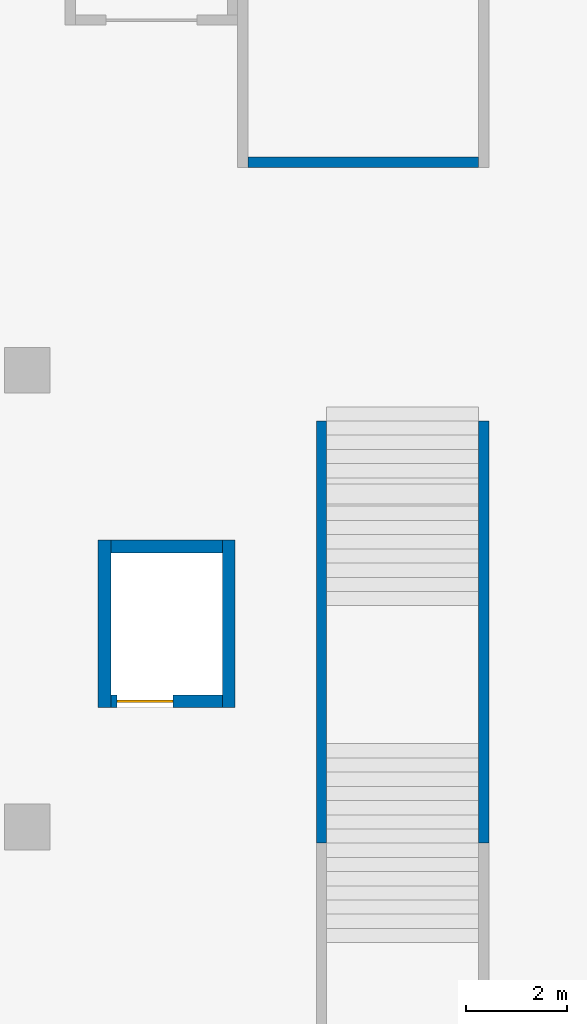
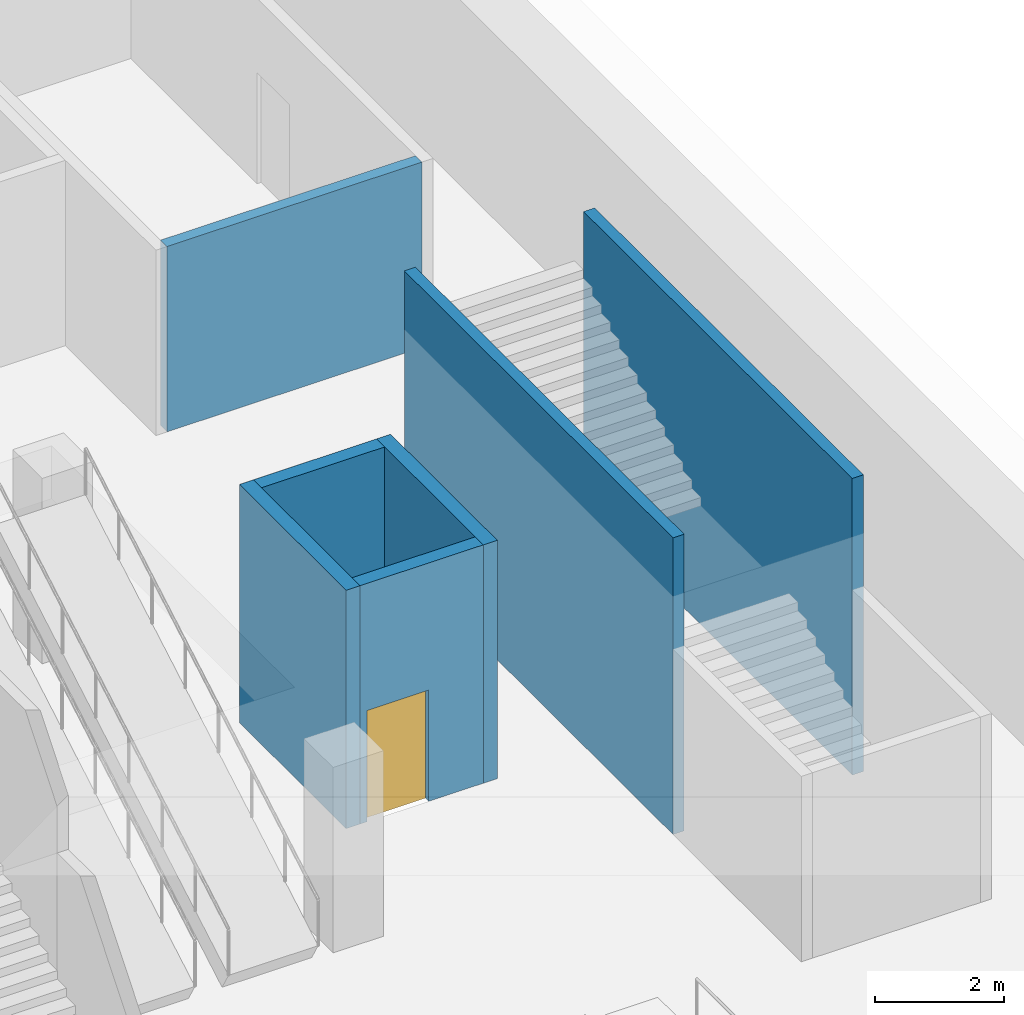
# One storey, part 33 of 115: 7 walls, 1 door, 1 opening.
"""IFC4 building model written with IfcOpenShell, lengths in metres."""

from ifc_helpers import new_model, si_unit, direction, frame, frame_2d, origin, place, context, subcontext, project, spatial, rectangle, extrude, material, layer, layer_set, type_object, element, fill, save


model = new_model("IFC4")

# Units and contexts
model_context = context("Model", 3, precision=1e-05, world=origin(), true_north=direction((0.0, 1.0)))
body_context = subcontext(model_context, "Body", "Model", "MODEL_VIEW")
ifc_project = project(units=[si_unit("LENGTHUNIT", "METRE"), si_unit("AREAUNIT", "SQUARE_METRE"), si_unit("VOLUMEUNIT", "CUBIC_METRE"), si_unit("PLANEANGLEUNIT", "RADIAN"), si_unit("MASSUNIT", "GRAM", prefix="KILO")], contexts=[model_context])

# Site, building, storey
site_placement = place(None, origin())
site = spatial("IfcSite", under=ifc_project, at=site_placement, CompositionType="ELEMENT")
building_placement = place(site_placement, origin())
building = spatial("IfcBuilding", under=site, at=building_placement, Name="Ogive Plaza Stadium", CompositionType="ELEMENT")
storey_placement = place(building_placement, frame((0.0, 0.0, -4.5)))
storey = spatial("IfcBuildingStorey", under=building, at=storey_placement, Name="B1", CompositionType="ELEMENT", Elevation=-4.5)

# Walls
ifc_material_1 = material(Name="Concrete C40/50", Category="concrete")
ifc_layer_1 = layer(ifc_material_1, 0.25)
ifc_layer_set_1 = layer_set([ifc_layer_1], Name="Concrete C40/50")
wall_type_1 = type_object("IfcWallType", Name="Lift shaft wall 250", PredefinedType="SHEAR", material=ifc_layer_set_1)
for number, where, z_axis, x_axis, name in (
    (1, (109.02490234375, 11.35009765625, 0.0), (0.0, 0.0, 1.0), (0.0, 1.0, 0.0), "Lift shaft wall 250 B1 west"),
    (2, (111.47509765625, 11.35009765625, 0.0), (0.0, 0.0, 1.0), (0.0, 1.0, 0.0), "Lift shaft wall 250 B1 east"),
):
    element("IfcWall", number, at=place(storey_placement, frame(where, z_axis=z_axis, x_axis=x_axis)), inside=storey, type_object=wall_type_1, Name=name, PredefinedType="SHEAR", context=body_context, shape_type="SweptSolid", body=[
        extrude(rectangle(XDim=3.2998046875, YDim=0.25, at=frame_2d((1.64990234375, 0.0))), origin(), (0.0, 0.0, 1.0), 4.5),
    ])

# Wall, opening, door
wall_1_placement = place(storey_placement, frame((109.14990234375, 11.47509765625, 0.0), z_axis=(0.0, 0.0, 1.0), x_axis=(1.0, 0.0, 0.0)))
wall_1 = element("IfcWall", 3, at=wall_1_placement, inside=storey, type_object=wall_type_1, Name="Lift shaft wall 250 B1 south", PredefinedType="SHEAR", context=body_context, shape_type="SweptSolid", body=[
    extrude(rectangle(XDim=2.2001953125, YDim=0.25, at=frame_2d((1.10009765625, 0.0))), origin(), (0.0, 0.0, 1.0), 4.5),
])
opening_placement = place(wall_1_placement, frame((0.125, 0.0, 0.0)))
opening = element("IfcOpeningElement", 4, at=opening_placement, cuts=wall_1, Name="Opening LD005", PredefinedType="OPENING", context=body_context, shape_type="SweptSolid", body=[
    extrude(rectangle(XDim=1.10009765625, YDim=2.10009765625, at=frame_2d((0.550048828125, 1.050048828125))), frame((0.0, 0.125, 0.0), z_axis=(0.0, -1.0, 0.0), x_axis=(1.0, 0.0, 0.0)), (0.0, 0.0, 1.0), 0.25),
])
ifc_material_2 = material(Name="Stainless steel door set", Category="steel")
door_type = type_object("IfcDoorType", Name="Landing door LD 1100 x 2100", OperationType="SLIDING_TO_LEFT", PredefinedType="DOOR", material=ifc_material_2)
door_placement = place(opening_placement, origin())
door = element("IfcDoor", 5, at=door_placement, inside=storey, type_object=door_type, Name="Door LD005", OperationType="SLIDING_TO_LEFT", OverallHeight=2.10009765625, OverallWidth=1.10009765625, PredefinedType="DOOR", context=body_context, shape_type="SweptSolid", body=[
    extrude(rectangle(XDim=1.10009765625, YDim=2.10009765625, at=frame_2d((0.550048828125, 1.050048828125))), frame((0.0, 0.02490234375, 0.0), z_axis=(0.0, -1.0, 0.0), x_axis=(1.0, 0.0, 0.0)), (0.0, 0.0, 1.0), 0.050048828125),
])
fill(opening, door)

# Walls
wall_2_placement = place(storey_placement, frame((109.14990234375, 14.52490234375, 0.0), z_axis=(0.0, 0.0, 1.0), x_axis=(1.0, 0.0, 0.0)))
element("IfcWall", 6, at=wall_2_placement, inside=storey, type_object=wall_type_1, Name="Lift shaft wall 250 B1 north", PredefinedType="SHEAR", context=body_context, shape_type="SweptSolid", body=[
    extrude(rectangle(XDim=2.2001953125, YDim=0.25, at=frame_2d((1.10009765625, 0.0))), origin(), (0.0, 0.0, 1.0), 4.5),
])
ifc_material_3 = material(Name="Masonry blockwork", Category="masonry")
ifc_layer_2 = layer(ifc_material_3, 0.199951171875)
ifc_layer_set_2 = layer_set([ifc_layer_2], Name="Room partition 200")
wall_type_2 = type_object("IfcWallType", Name="Room partition 200", PredefinedType="PARTITIONING", material=ifc_layer_set_2)
wall_3_placement = place(storey_placement, frame((111.85009765625, 22.10009765625, 0.0), z_axis=(0.0, 0.0, 1.0), x_axis=(1.0, 0.0, 0.0)))
element("IfcWall", 7, at=wall_3_placement, inside=storey, type_object=wall_type_2, Name="Room partition 200 B1", PredefinedType="PARTITIONING", context=body_context, shape_type="SweptSolid", body=[
    extrude(rectangle(XDim=4.5498046875, YDim=0.199951171875, at=frame_2d((2.27490234375, 0.0))), origin(), (0.0, 0.0, 1.0), 3.5),
])
ifc_material_4 = material(Name="Concrete C40/50", Category="concrete")
ifc_layer_3 = layer(ifc_material_4, 0.199951171875)
ifc_layer_set_3 = layer_set([ifc_layer_3], Name="Concrete C40/50")
wall_type_3 = type_object("IfcWallType", Name="Stair enclosure wall 200 A", PredefinedType="SHEAR", material=ifc_layer_set_3)
for number, where, z_axis, x_axis, name in (
    (8, (113.300048828125, 8.686279296875, 0.0), (0.0, 0.0, 1.0), (0.0, 1.0, 0.0), "Stair enclosure wall 200 B1 west"),
    (9, (116.5, 8.686279296875, 0.0), (0.0, 0.0, 1.0), (0.0, 1.0, 0.0), "Stair enclosure wall 200 B1 east"),
):
    element("IfcWall", number, at=place(storey_placement, frame(where, z_axis=z_axis, x_axis=x_axis)), inside=storey, type_object=wall_type_3, Name=name, PredefinedType="SHEAR", context=body_context, shape_type="SweptSolid", body=[
        extrude(rectangle(XDim=8.313720703125, YDim=0.199951171875, at=frame_2d((4.15673828125, 0.0))), origin(), (0.0, 0.0, 1.0), 5.60009765625),
    ])

save(model, "model.ifc")
